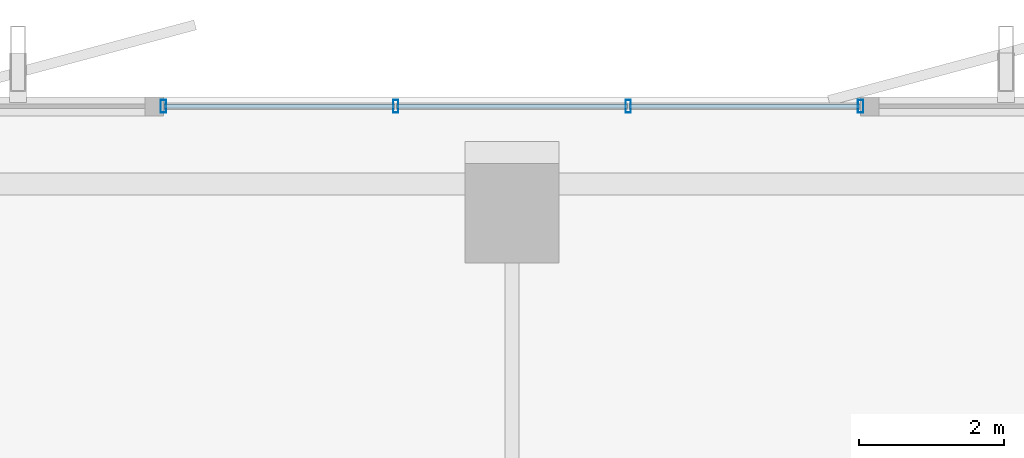
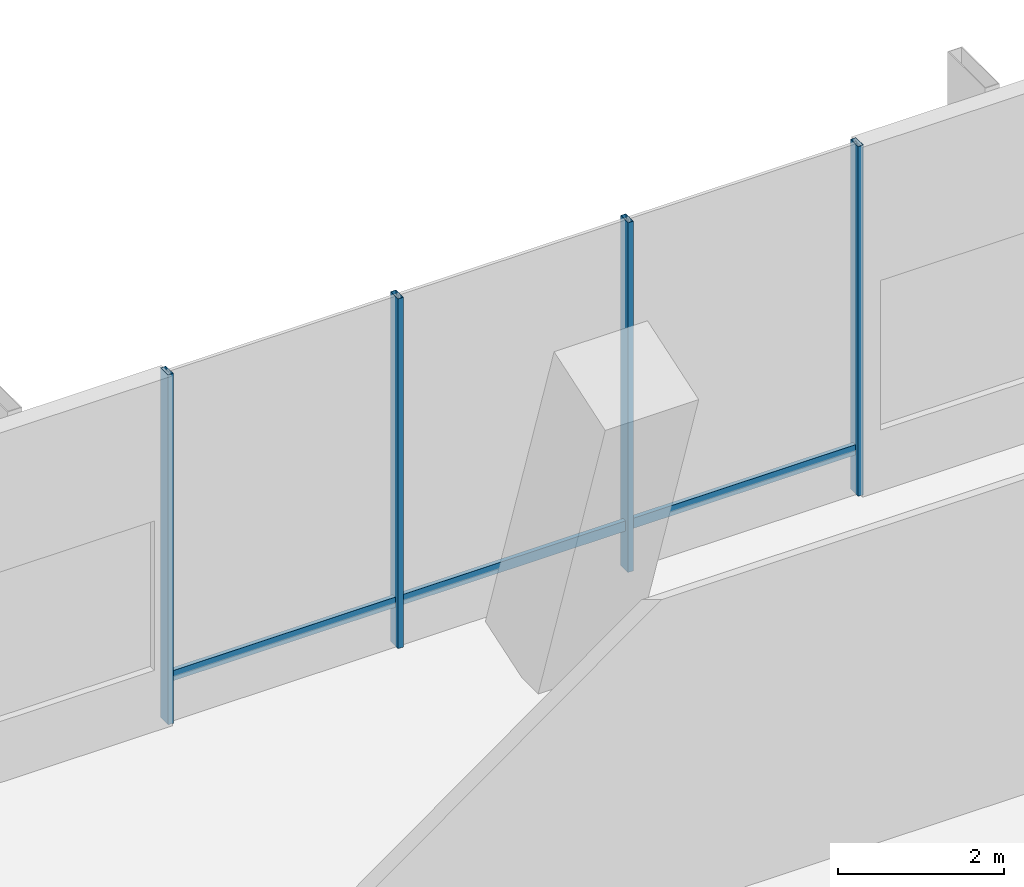
# One storey, part 18 of 28: 7 members, 1 element without a shape of its own.
"""IFC4 building model written with IfcOpenShell, lengths in metres."""

import ifcopenshell
import ifcopenshell.guid

model = None  # the IFC model being written
_history = None  # IfcOwnerHistory: only IFC2X3 demands one
_inside = {}  # id of a spatial element -> (the spatial element, [elements in it])
_under = {}  # id of a project, library or spatial element -> (it, [spatial elements below it])
_declared = {}  # id of a project -> (the project, [libraries it declares])
_typed = {}  # id of a type object -> (the type object, [elements of that type])
_made_of = {}  # id of a material, layer set ... -> (it, [elements and type objects made of it])


def new_model(schema):
    """Start an empty IFC model of exactly this schema.

    Asked for "IFC4X3", IfcOpenShell would pick the latest addendum, in which some entities
    have other attributes; the version numbers below select the first issue.
    IFC2X3 requires an IfcOwnerHistory on every rooted entity: one is made here for all.
    """
    global model, _history
    if schema == "IFC4X3":
        model = ifcopenshell.file(schema_version=(4, 3, 0, 0))
    else:
        model = ifcopenshell.file(schema=schema)
    _inside.clear()
    _under.clear()
    _declared.clear()
    _typed.clear()
    _made_of.clear()
    _history = None
    if model.schema == "IFC2X3":
        org = make("IfcOrganization", Name="unknown")
        user = make(
            "IfcPersonAndOrganization",
            ThePerson=make("IfcPerson", FamilyName="unknown"),
            TheOrganization=org,
        )
        app = make(
            "IfcApplication",
            ApplicationDeveloper=org,
            Version="unknown",
            ApplicationFullName="unknown",
            ApplicationIdentifier="unknown",
        )
        _history = make(
            "IfcOwnerHistory",
            OwningUser=user,
            OwningApplication=app,
            ChangeAction="ADDED",
            CreationDate=0,
        )
    return model


def make(cls, **values):
    """One entity of the class cls with the attributes given. An attribute that is None is left unset."""
    return model.create_entity(
        cls, **{name: value for name, value in values.items() if value is not None}
    )


def rooted(cls, **values):
    """An entity with a GlobalId (a new one), such as an element, a storey or a relation."""
    return make(cls, GlobalId=ifcopenshell.guid.new(), OwnerHistory=_history, **values)


def si_unit(unit_type, name, prefix=None):
    """IfcSIUnit, for example si_unit("LENGTHUNIT", "METRE", prefix="MILLI")."""
    return make("IfcSIUnit", UnitType=unit_type, Prefix=prefix, Name=name)


def assignment(units):
    """IfcUnitAssignment: the units of a project."""
    return None if units is None else make("IfcUnitAssignment", Units=units)


def point(xyz):
    """IfcCartesianPoint."""
    return None if xyz is None else make("IfcCartesianPoint", Coordinates=xyz)


def direction(xyz):
    """IfcDirection."""
    return None if xyz is None else make("IfcDirection", DirectionRatios=xyz)


def frame(location, z_axis=None, x_axis=None):
    """IfcAxis2Placement3D, a coordinate frame: its origin and axes. An axis left out is left unset."""
    return make(
        "IfcAxis2Placement3D",
        Location=point(location),
        Axis=direction(z_axis),
        RefDirection=direction(x_axis),
    )


def frame_2d(location, x_axis=None):
    """IfcAxis2Placement2D, a coordinate frame in the plane: its origin and x axis."""
    return make(
        "IfcAxis2Placement2D", Location=point(location), RefDirection=direction(x_axis)
    )


def origin():
    """The frame at (0, 0, 0) with its axes left unset."""
    return frame((0.0, 0.0, 0.0))


def origin_2d():
    """The frame at (0, 0) in the plane with its x axis left unset."""
    return frame_2d((0.0, 0.0))


def place(relative_to, where):
    """IfcLocalPlacement: puts the frame where relative to a parent placement (None: the world)."""
    return make(
        "IfcLocalPlacement", PlacementRelTo=relative_to, RelativePlacement=where
    )


def context(
    kind, dimensions, precision=None, world=None, true_north=None, identifier=None
):
    """IfcGeometricRepresentationContext, for example the 3D "Model" context."""
    return make(
        "IfcGeometricRepresentationContext",
        ContextIdentifier=identifier,
        ContextType=kind,
        CoordinateSpaceDimension=dimensions,
        Precision=precision,
        WorldCoordinateSystem=world,
        TrueNorth=true_north,
    )


def subcontext(parent, identifier, kind, view, scale=None):
    """IfcGeometricRepresentationSubContext, for example "Body" below "Model"."""
    return make(
        "IfcGeometricRepresentationSubContext",
        ContextIdentifier=identifier,
        ContextType=kind,
        ParentContext=parent,
        TargetScale=scale,
        TargetView=view,
    )


def project(units=None, contexts=None):
    """IfcProject with its units and contexts."""
    return rooted(
        "IfcProject",
        Name="project",
        RepresentationContexts=contexts,
        UnitsInContext=assignment(units),
    )


def spatial(cls, under=None, at=None, **own):
    """A site, building, storey or space (cls), placed at a placement, below another one or the project."""
    s = rooted(cls, ObjectPlacement=at, **own)
    if under is not None:
        _under.setdefault(under.id(), (under, []))[1].append(s)
    return s


def profile(cls, at=None, kind="AREA", **sizes):
    """A parametric profile (cls). Its sizes go by their IFC names, for example OverallWidth=200.0."""
    return make(cls, ProfileType=kind, Position=at, **sizes)


def hollow_rectangle(**sizes):
    """IfcRectangleHollowProfileDef."""
    return profile("IfcRectangleHollowProfileDef", **sizes)


def extrude(swept, where, along, depth):
    """IfcExtrudedAreaSolid: the profile swept, set in the frame where, extruded along a direction by depth."""
    return make(
        "IfcExtrudedAreaSolid",
        SweptArea=swept,
        Position=where,
        ExtrudedDirection=direction(along),
        Depth=depth,
    )


def shape(context_of_items, identifier, shape_type, items):
    """IfcShapeRepresentation: the items that make up one representation, for example the "Body"."""
    return make(
        "IfcShapeRepresentation",
        ContextOfItems=context_of_items,
        RepresentationIdentifier=identifier,
        RepresentationType=shape_type,
        Items=items,
    )


def material(Name=None, Category=None):
    """IfcMaterial."""
    return make("IfcMaterial", Name=Name, Category=Category)


def layer(
    of_material, thickness, ventilated=None, Name=None, Category=None, Priority=None
):
    """IfcMaterialLayer: one layer of a wall or slab, of a material (None: an air gap)."""
    return make(
        "IfcMaterialLayer",
        Material=of_material,
        LayerThickness=thickness,
        IsVentilated=ventilated,
        Name=Name,
        Category=Category,
        Priority=Priority,
    )


def layer_set(layers, Name=None):
    """IfcMaterialLayerSet."""
    return make("IfcMaterialLayerSet", MaterialLayers=layers, LayerSetName=Name)


def material_profile(
    of_material, cross_section, Name=None, Category=None, Priority=None
):
    """IfcMaterialProfile: a cross section and its material."""
    return make(
        "IfcMaterialProfile",
        Name=Name,
        Material=of_material,
        Profile=cross_section,
        Priority=Priority,
        Category=Category,
    )


def profile_set(profiles, Name=None, composite=None):
    """IfcMaterialProfileSet."""
    return make(
        "IfcMaterialProfileSet",
        Name=Name,
        MaterialProfiles=profiles,
        CompositeProfile=composite,
    )


def made_of(thing, what):
    """Note that an element or type object is made of a material, layer set ...; save() writes the relation."""
    if what is not None:
        _made_of.setdefault(what.id(), (what, []))[1].append(thing)
    return thing


def type_object(cls, material=None, **own):
    """A type object (cls), such as IfcWallType, which elements share."""
    return made_of(rooted(cls, **own), material)


def element(
    cls,
    number,
    at=None,
    inside=None,
    cuts=None,
    type_object=None,
    material=None,
    context=None,
    identifier="Body",
    shape_type=None,
    held_by="IfcProductDefinitionShape",
    body=None,
    shapes=None,
    **own,
):
    """One element of the class cls, such as IfcWall. Its Tag is "e" and its number.

    at: its placement. inside: the storey or other place that contains it. cuts: it is an
    opening in that element (IfcRelVoidsElement). A single representation is given by context,
    identifier, shape_type and body (its items); several are given by shapes. held_by: the class
    of the entity that holds the representations. save() writes the other relations.
    """
    e = rooted(cls, Tag="e%d" % number, ObjectPlacement=at, **own)
    if body is not None:
        shapes = [shape(context, identifier, shape_type, body)]
    if shapes is not None:
        e.Representation = make(held_by, Representations=shapes)
    if inside is not None:
        _inside.setdefault(inside.id(), (inside, []))[1].append(e)
    if cuts is not None:
        rooted(
            "IfcRelVoidsElement", RelatingBuildingElement=cuts, RelatedOpeningElement=e
        )
    if type_object is not None:
        _typed.setdefault(type_object.id(), (type_object, []))[1].append(e)
    return made_of(e, material)


def aggregate(whole, parts):
    """IfcRelAggregates: a whole, such as a stair, and the parts it consists of."""
    return rooted("IfcRelAggregates", RelatingObject=whole, RelatedObjects=parts)


def save(model, path):
    """Write the relations noted so far, then the file.

    IfcRelAggregates (storeys below a building ...), IfcRelContainedInSpatialStructure (elements
    in a storey), IfcRelDefinesByType, IfcRelAssociatesMaterial and IfcRelDeclares: one each for
    every whole, place, type object, material and project.
    """
    for whole, parts in _under.values():
        aggregate(whole, parts)
    for where, things in _inside.values():
        rooted(
            "IfcRelContainedInSpatialStructure",
            RelatedElements=things,
            RelatingStructure=where,
        )
    for kind, things in _typed.values():
        rooted("IfcRelDefinesByType", RelatedObjects=things, RelatingType=kind)
    for what, things in _made_of.values():
        rooted("IfcRelAssociatesMaterial", RelatedObjects=things, RelatingMaterial=what)
    for by, libraries in _declared.values():
        rooted("IfcRelDeclares", RelatingContext=by, RelatedDefinitions=libraries)
    model.write(path)


model = new_model("IFC4")

# Units and contexts
model_context = context("Model", 3, precision=1e-05, world=origin(), true_north=direction((0.0, 1.0)))
body_context = subcontext(model_context, "Body", "Model", "MODEL_VIEW")
ifc_project = project(units=[si_unit("LENGTHUNIT", "METRE"), si_unit("AREAUNIT", "SQUARE_METRE"), si_unit("VOLUMEUNIT", "CUBIC_METRE"), si_unit("PLANEANGLEUNIT", "RADIAN"), si_unit("MASSUNIT", "GRAM", prefix="KILO")], contexts=[model_context])

# Site, building, storey
site_placement = place(None, origin())
site = spatial("IfcSite", under=ifc_project, at=site_placement, CompositionType="ELEMENT")
building_placement = place(site_placement, origin())
building = spatial("IfcBuilding", under=site, at=building_placement, Name="Belovzor Exchange Tower", CompositionType="ELEMENT")
storey_placement = place(building_placement, frame((0.0, 0.0, 132.89990234375)))
storey = spatial("IfcBuildingStorey", under=building, at=storey_placement, Name="L32", CompositionType="ELEMENT", Elevation=132.89990234375)

# Curtain wall, members
ifc_material_1 = material(Name="Anodised Aluminium Framing", Category="aluminium")
ifc_layer = layer(ifc_material_1, 0.239990234375)
ifc_layer_set = layer_set([ifc_layer], Name="Anodised Aluminium Framing")
curtain_wall_type = type_object("IfcCurtainWallType", Name="Sky-Lobby Double-Skin Acoustic Curtain Wall", PredefinedType="NOTDEFINED", material=ifc_layer_set)
curtain_wall_placement = place(storey_placement, origin())
curtain_wall = element("IfcCurtainWall", 1, at=curtain_wall_placement, inside=storey, type_object=curtain_wall_type, Name="CW4 Sky-Lobby Double-Skin Acoustic Curtain Wall L32", PredefinedType="NOTDEFINED")
ifc_material_2 = material(Name="Steel S355", Category="steel")
ifc_material_profile_1 = material_profile(ifc_material_2, hollow_rectangle(XDim=0.074951171875, YDim=0.179931640625, WallThickness=0.0048828125, at=origin_2d()))
ifc_profile_set_1 = profile_set([ifc_material_profile_1], Name="Steel S355")
member_type_1 = type_object("IfcMemberType", Name="Thermally Broken Curtain Wall Mullion 180x75", PredefinedType="MULLION", material=ifc_profile_set_1)
member_1_placement = place(storey_placement, frame((24.0, 54.77001953125, 0.0), z_axis=(0.0, 0.0, 1.0), x_axis=(1.0, 0.0, 0.0)))
member_1 = element("IfcMember", 2, at=member_1_placement, type_object=member_type_1, Name="CW-M180 Curtain Wall Mullion 1", PredefinedType="MULLION", context=body_context, shape_type="SweptSolid", body=[
    extrude(hollow_rectangle(XDim=0.074951171875, YDim=0.179931640625, WallThickness=0.0048828125, at=origin_2d()), origin(), (0.0, 0.0, 1.0), 5.14501953125),
])
member_2_placement = place(storey_placement, frame((27.199951171875, 54.77001953125, 0.0), z_axis=(0.0, 0.0, 1.0), x_axis=(1.0, 0.0, 0.0)))
member_2 = element("IfcMember", 3, at=member_2_placement, type_object=member_type_1, Name="CW-M180 Curtain Wall Mullion 2", PredefinedType="MULLION", context=body_context, shape_type="SweptSolid", body=[
    extrude(hollow_rectangle(XDim=0.074951171875, YDim=0.179931640625, WallThickness=0.0048828125, at=origin_2d()), origin(), (0.0, 0.0, 1.0), 5.14501953125),
])
member_3_placement = place(storey_placement, frame((30.39990234375, 54.77001953125, 0.0), z_axis=(0.0, 0.0, 1.0), x_axis=(1.0, 0.0, 0.0)))
member_3 = element("IfcMember", 4, at=member_3_placement, type_object=member_type_1, Name="CW-M180 Curtain Wall Mullion 3", PredefinedType="MULLION", context=body_context, shape_type="SweptSolid", body=[
    extrude(hollow_rectangle(XDim=0.074951171875, YDim=0.179931640625, WallThickness=0.0048828125, at=origin_2d()), origin(), (0.0, 0.0, 1.0), 5.14501953125),
])
member_4_placement = place(storey_placement, frame((33.60009765625, 54.77001953125, 0.0), z_axis=(0.0, 0.0, 1.0), x_axis=(1.0, 0.0, 0.0)))
member_4 = element("IfcMember", 5, at=member_4_placement, type_object=member_type_1, Name="CW-M180 Curtain Wall Mullion 4", PredefinedType="MULLION", context=body_context, shape_type="SweptSolid", body=[
    extrude(hollow_rectangle(XDim=0.074951171875, YDim=0.179931640625, WallThickness=0.0048828125, at=origin_2d()), origin(), (0.0, 0.0, 1.0), 5.14501953125),
])
ifc_material_3 = material(Name="Steel S355", Category="steel")
ifc_material_profile_2 = material_profile(ifc_material_3, hollow_rectangle(XDim=0.06005859375, YDim=0.14990234375, WallThickness=0.00390625, at=origin_2d()))
ifc_profile_set_2 = profile_set([ifc_material_profile_2], Name="Steel S355")
member_type_2 = type_object("IfcMemberType", Name="Thermally Broken Curtain Wall Transom 150x60", PredefinedType="USERDEFINED", material=ifc_profile_set_2)
member_5_placement = place(storey_placement, frame((24.008056640625, 54.77001953125, 0.650146484375), z_axis=(1.0, 0.0, 0.0), x_axis=(0.0, 1.0, 0.0)))
member_5 = element("IfcMember", 6, at=member_5_placement, type_object=member_type_2, Name="CW-T150 Curtain Wall Transom 1", ObjectType="TRANSOM", PredefinedType="USERDEFINED", context=body_context, shape_type="SweptSolid", body=[
    extrude(hollow_rectangle(XDim=0.06005859375, YDim=0.14990234375, WallThickness=0.00390625, at=origin_2d()), origin(), (0.0, 0.0, 1.0), 3.183837890625),
])
member_6_placement = place(storey_placement, frame((27.2080078125, 54.77001953125, 0.650146484375), z_axis=(1.0, 0.0, 0.0), x_axis=(0.0, 1.0, 0.0)))
member_6 = element("IfcMember", 7, at=member_6_placement, type_object=member_type_2, Name="CW-T150 Curtain Wall Transom 2", ObjectType="TRANSOM", PredefinedType="USERDEFINED", context=body_context, shape_type="SweptSolid", body=[
    extrude(hollow_rectangle(XDim=0.06005859375, YDim=0.14990234375, WallThickness=0.00390625, at=origin_2d()), origin(), (0.0, 0.0, 1.0), 3.18408203125),
])
member_7_placement = place(storey_placement, frame((30.407958984375, 54.77001953125, 0.650146484375), z_axis=(1.0, 0.0, 0.0), x_axis=(0.0, 1.0, 0.0)))
member_7 = element("IfcMember", 8, at=member_7_placement, type_object=member_type_2, Name="CW-T150 Curtain Wall Transom 3", ObjectType="TRANSOM", PredefinedType="USERDEFINED", context=body_context, shape_type="SweptSolid", body=[
    extrude(hollow_rectangle(XDim=0.06005859375, YDim=0.14990234375, WallThickness=0.00390625, at=origin_2d()), origin(), (0.0, 0.0, 1.0), 3.18408203125),
])
aggregate(curtain_wall, [member_1, member_2, member_3, member_4, member_5, member_6, member_7])

save(model, "model.ifc")
